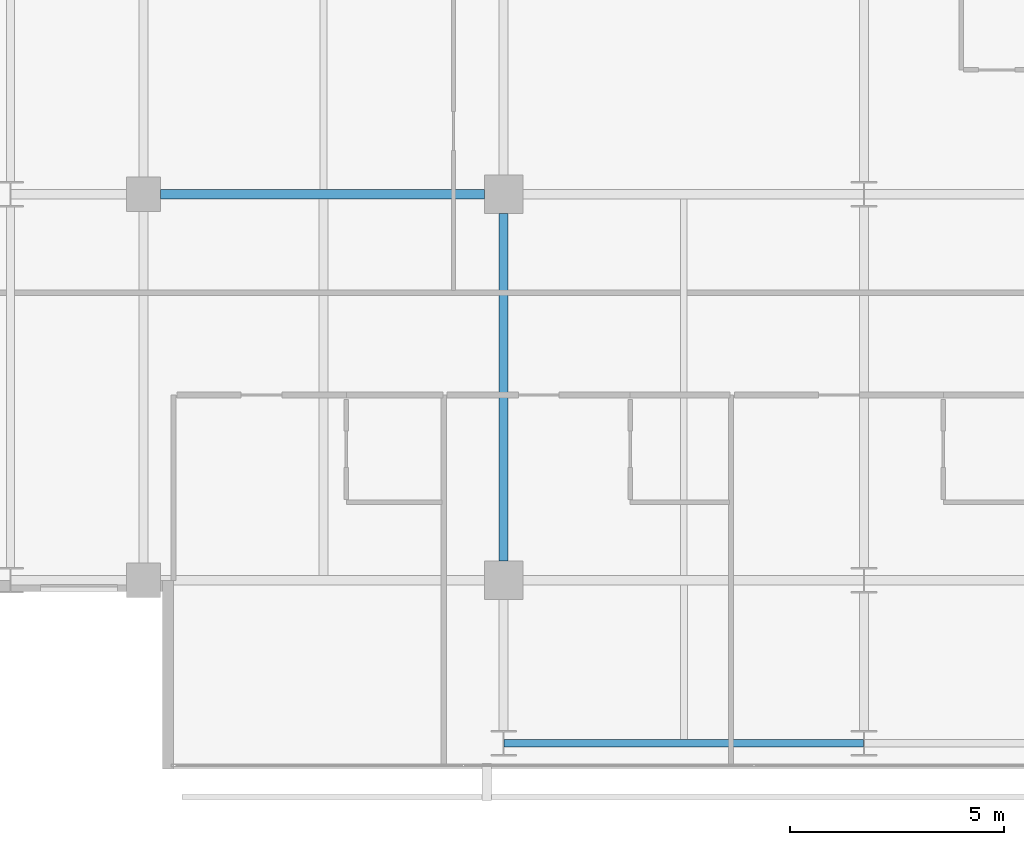
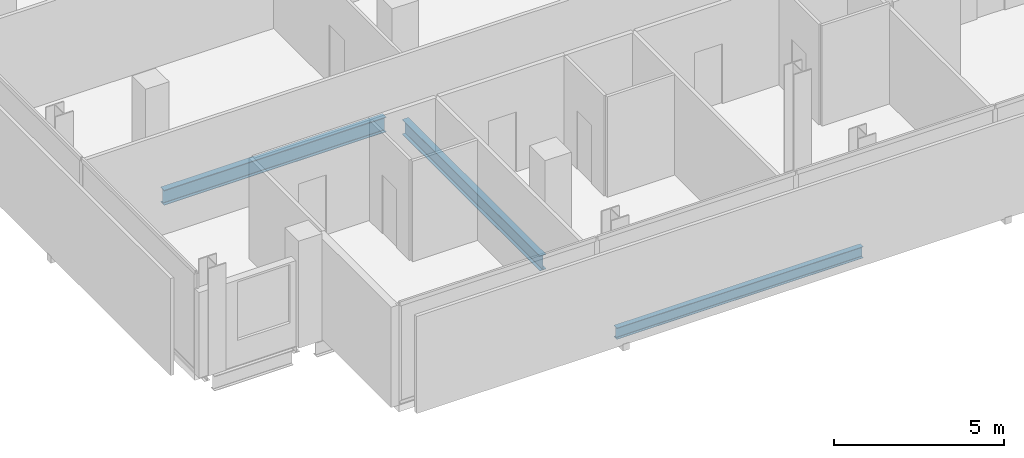
# One storey, part 5 of 33: 3 beams.
"""IFC4 building model written with IfcOpenShell, lengths in metres."""

import ifcopenshell
import ifcopenshell.guid

model = None  # the IFC model being written
_history = None  # IfcOwnerHistory: only IFC2X3 demands one
_inside = {}  # id of a spatial element -> (the spatial element, [elements in it])
_under = {}  # id of a project, library or spatial element -> (it, [spatial elements below it])
_declared = {}  # id of a project -> (the project, [libraries it declares])
_typed = {}  # id of a type object -> (the type object, [elements of that type])
_made_of = {}  # id of a material, layer set ... -> (it, [elements and type objects made of it])


def new_model(schema):
    """Start an empty IFC model of exactly this schema.

    Asked for "IFC4X3", IfcOpenShell would pick the latest addendum, in which some entities
    have other attributes; the version numbers below select the first issue.
    IFC2X3 requires an IfcOwnerHistory on every rooted entity: one is made here for all.
    """
    global model, _history
    if schema == "IFC4X3":
        model = ifcopenshell.file(schema_version=(4, 3, 0, 0))
    else:
        model = ifcopenshell.file(schema=schema)
    _inside.clear()
    _under.clear()
    _declared.clear()
    _typed.clear()
    _made_of.clear()
    _history = None
    if model.schema == "IFC2X3":
        org = make("IfcOrganization", Name="unknown")
        user = make(
            "IfcPersonAndOrganization",
            ThePerson=make("IfcPerson", FamilyName="unknown"),
            TheOrganization=org,
        )
        app = make(
            "IfcApplication",
            ApplicationDeveloper=org,
            Version="unknown",
            ApplicationFullName="unknown",
            ApplicationIdentifier="unknown",
        )
        _history = make(
            "IfcOwnerHistory",
            OwningUser=user,
            OwningApplication=app,
            ChangeAction="ADDED",
            CreationDate=0,
        )
    return model


def make(cls, **values):
    """One entity of the class cls with the attributes given. An attribute that is None is left unset."""
    return model.create_entity(
        cls, **{name: value for name, value in values.items() if value is not None}
    )


def rooted(cls, **values):
    """An entity with a GlobalId (a new one), such as an element, a storey or a relation."""
    return make(cls, GlobalId=ifcopenshell.guid.new(), OwnerHistory=_history, **values)


def si_unit(unit_type, name, prefix=None):
    """IfcSIUnit, for example si_unit("LENGTHUNIT", "METRE", prefix="MILLI")."""
    return make("IfcSIUnit", UnitType=unit_type, Prefix=prefix, Name=name)


def assignment(units):
    """IfcUnitAssignment: the units of a project."""
    return None if units is None else make("IfcUnitAssignment", Units=units)


def point(xyz):
    """IfcCartesianPoint."""
    return None if xyz is None else make("IfcCartesianPoint", Coordinates=xyz)


def direction(xyz):
    """IfcDirection."""
    return None if xyz is None else make("IfcDirection", DirectionRatios=xyz)


def frame(location, z_axis=None, x_axis=None):
    """IfcAxis2Placement3D, a coordinate frame: its origin and axes. An axis left out is left unset."""
    return make(
        "IfcAxis2Placement3D",
        Location=point(location),
        Axis=direction(z_axis),
        RefDirection=direction(x_axis),
    )


def frame_2d(location, x_axis=None):
    """IfcAxis2Placement2D, a coordinate frame in the plane: its origin and x axis."""
    return make(
        "IfcAxis2Placement2D", Location=point(location), RefDirection=direction(x_axis)
    )


def origin():
    """The frame at (0, 0, 0) with its axes left unset."""
    return frame((0.0, 0.0, 0.0))


def origin_2d():
    """The frame at (0, 0) in the plane with its x axis left unset."""
    return frame_2d((0.0, 0.0))


def place(relative_to, where):
    """IfcLocalPlacement: puts the frame where relative to a parent placement (None: the world)."""
    return make(
        "IfcLocalPlacement", PlacementRelTo=relative_to, RelativePlacement=where
    )


def context(
    kind, dimensions, precision=None, world=None, true_north=None, identifier=None
):
    """IfcGeometricRepresentationContext, for example the 3D "Model" context."""
    return make(
        "IfcGeometricRepresentationContext",
        ContextIdentifier=identifier,
        ContextType=kind,
        CoordinateSpaceDimension=dimensions,
        Precision=precision,
        WorldCoordinateSystem=world,
        TrueNorth=true_north,
    )


def subcontext(parent, identifier, kind, view, scale=None):
    """IfcGeometricRepresentationSubContext, for example "Body" below "Model"."""
    return make(
        "IfcGeometricRepresentationSubContext",
        ContextIdentifier=identifier,
        ContextType=kind,
        ParentContext=parent,
        TargetScale=scale,
        TargetView=view,
    )


def project(units=None, contexts=None):
    """IfcProject with its units and contexts."""
    return rooted(
        "IfcProject",
        Name="project",
        RepresentationContexts=contexts,
        UnitsInContext=assignment(units),
    )


def spatial(cls, under=None, at=None, **own):
    """A site, building, storey or space (cls), placed at a placement, below another one or the project."""
    s = rooted(cls, ObjectPlacement=at, **own)
    if under is not None:
        _under.setdefault(under.id(), (under, []))[1].append(s)
    return s


def profile(cls, at=None, kind="AREA", **sizes):
    """A parametric profile (cls). Its sizes go by their IFC names, for example OverallWidth=200.0."""
    return make(cls, ProfileType=kind, Position=at, **sizes)


def i_section(**sizes):
    """IfcIShapeProfileDef."""
    return profile("IfcIShapeProfileDef", **sizes)


def extrude(swept, where, along, depth):
    """IfcExtrudedAreaSolid: the profile swept, set in the frame where, extruded along a direction by depth."""
    return make(
        "IfcExtrudedAreaSolid",
        SweptArea=swept,
        Position=where,
        ExtrudedDirection=direction(along),
        Depth=depth,
    )


def shape(context_of_items, identifier, shape_type, items):
    """IfcShapeRepresentation: the items that make up one representation, for example the "Body"."""
    return make(
        "IfcShapeRepresentation",
        ContextOfItems=context_of_items,
        RepresentationIdentifier=identifier,
        RepresentationType=shape_type,
        Items=items,
    )


def material(Name=None, Category=None):
    """IfcMaterial."""
    return make("IfcMaterial", Name=Name, Category=Category)


def material_profile(
    of_material, cross_section, Name=None, Category=None, Priority=None
):
    """IfcMaterialProfile: a cross section and its material."""
    return make(
        "IfcMaterialProfile",
        Name=Name,
        Material=of_material,
        Profile=cross_section,
        Priority=Priority,
        Category=Category,
    )


def profile_set(profiles, Name=None, composite=None):
    """IfcMaterialProfileSet."""
    return make(
        "IfcMaterialProfileSet",
        Name=Name,
        MaterialProfiles=profiles,
        CompositeProfile=composite,
    )


def made_of(thing, what):
    """Note that an element or type object is made of a material, layer set ...; save() writes the relation."""
    if what is not None:
        _made_of.setdefault(what.id(), (what, []))[1].append(thing)
    return thing


def type_object(cls, material=None, **own):
    """A type object (cls), such as IfcWallType, which elements share."""
    return made_of(rooted(cls, **own), material)


def element(
    cls,
    number,
    at=None,
    inside=None,
    cuts=None,
    type_object=None,
    material=None,
    context=None,
    identifier="Body",
    shape_type=None,
    held_by="IfcProductDefinitionShape",
    body=None,
    shapes=None,
    **own,
):
    """One element of the class cls, such as IfcWall. Its Tag is "e" and its number.

    at: its placement. inside: the storey or other place that contains it. cuts: it is an
    opening in that element (IfcRelVoidsElement). A single representation is given by context,
    identifier, shape_type and body (its items); several are given by shapes. held_by: the class
    of the entity that holds the representations. save() writes the other relations.
    """
    e = rooted(cls, Tag="e%d" % number, ObjectPlacement=at, **own)
    if body is not None:
        shapes = [shape(context, identifier, shape_type, body)]
    if shapes is not None:
        e.Representation = make(held_by, Representations=shapes)
    if inside is not None:
        _inside.setdefault(inside.id(), (inside, []))[1].append(e)
    if cuts is not None:
        rooted(
            "IfcRelVoidsElement", RelatingBuildingElement=cuts, RelatedOpeningElement=e
        )
    if type_object is not None:
        _typed.setdefault(type_object.id(), (type_object, []))[1].append(e)
    return made_of(e, material)


def aggregate(whole, parts):
    """IfcRelAggregates: a whole, such as a stair, and the parts it consists of."""
    return rooted("IfcRelAggregates", RelatingObject=whole, RelatedObjects=parts)


def save(model, path):
    """Write the relations noted so far, then the file.

    IfcRelAggregates (storeys below a building ...), IfcRelContainedInSpatialStructure (elements
    in a storey), IfcRelDefinesByType, IfcRelAssociatesMaterial and IfcRelDeclares: one each for
    every whole, place, type object, material and project.
    """
    for whole, parts in _under.values():
        aggregate(whole, parts)
    for where, things in _inside.values():
        rooted(
            "IfcRelContainedInSpatialStructure",
            RelatedElements=things,
            RelatingStructure=where,
        )
    for kind, things in _typed.values():
        rooted("IfcRelDefinesByType", RelatedObjects=things, RelatingType=kind)
    for what, things in _made_of.values():
        rooted("IfcRelAssociatesMaterial", RelatedObjects=things, RelatingMaterial=what)
    for by, libraries in _declared.values():
        rooted("IfcRelDeclares", RelatingContext=by, RelatedDefinitions=libraries)
    model.write(path)


model = new_model("IFC4")

# Units and contexts
model_context = context("Model", 3, precision=1e-05, world=origin(), true_north=direction((0.0, 1.0)))
body_context = subcontext(model_context, "Body", "Model", "MODEL_VIEW")
ifc_project = project(units=[si_unit("LENGTHUNIT", "METRE"), si_unit("AREAUNIT", "SQUARE_METRE"), si_unit("VOLUMEUNIT", "CUBIC_METRE"), si_unit("PLANEANGLEUNIT", "RADIAN"), si_unit("MASSUNIT", "GRAM", prefix="KILO")], contexts=[model_context])

# Site, building, storey
site_placement = place(None, origin())
site = spatial("IfcSite", under=ifc_project, at=site_placement, CompositionType="ELEMENT")
building_placement = place(site_placement, origin())
building = spatial("IfcBuilding", under=site, at=building_placement, Name="Maruvema Waterfront Hotel and Observation Tower", CompositionType="ELEMENT")
storey_placement = place(building_placement, frame((0.0, 0.0, 204.39990234375)))
storey = spatial("IfcBuildingStorey", under=building, at=storey_placement, Name="L50", CompositionType="ELEMENT", Elevation=204.39990234375)

# Beams
ifc_material_1 = material(Name="Steel ASTM A572 Grade 50", Category="steel")
ifc_material_profile_1 = material_profile(ifc_material_1, i_section(OverallWidth=0.178955078125, OverallDepth=0.409912109375, WebThickness=0.0087890625, FlangeThickness=0.014404296875, FilletRadius=0.014892578125, at=origin_2d()), Name="W410x67.0")
ifc_profile_set_1 = profile_set([ifc_material_profile_1], Name="Steel ASTM A572 Grade 50")
beam_type_1 = type_object("IfcBeamType", Name="Perimeter Spandrel Beam W410x67.0", PredefinedType="SPANDREL", material=ifc_profile_set_1)
beam_1_placement = place(storey_placement, frame((25.21240234375, 5.199951171875, -0.44482421875), z_axis=(1.0, 0.0, 0.0), x_axis=(0.0, 1.0, 0.0)))
element("IfcBeam", 1, at=beam_1_placement, inside=storey, type_object=beam_type_1, Name="L50 Floor Girder EW-01", PredefinedType="SPANDREL", context=body_context, shape_type="SweptSolid", body=[
    extrude(i_section(OverallWidth=0.178955078125, OverallDepth=0.409912109375, WebThickness=0.0087890625, FlangeThickness=0.014404296875, FilletRadius=0.014892578125, at=origin_2d()), origin(), (0.0, 0.0, 1.0), 8.375),
])
ifc_material_2 = material(Name="Steel ASTM A572 Grade 50", Category="steel")
ifc_material_profile_2 = material_profile(ifc_material_2, i_section(OverallWidth=0.2109375, OverallDepth=0.5390625, WebThickness=0.01171875, FlangeThickness=0.018798828125, FilletRadius=0.014892578125, at=origin_2d()), Name="W530x109.0")
ifc_profile_set_2 = profile_set([ifc_material_profile_2], Name="Steel ASTM A572 Grade 50")
beam_type_2 = type_object("IfcBeamType", Name="Primary Floor Girder W530x109.0", PredefinedType="BEAM", material=ifc_profile_set_2)
beam_2_placement = place(storey_placement, frame((17.199951171875, 18.0, -0.509521484375), z_axis=(1.0, 0.0, 0.0), x_axis=(0.0, 1.0, 0.0)))
element("IfcBeam", 2, at=beam_2_placement, inside=storey, type_object=beam_type_2, Name="L50 Floor Girder EW-12", PredefinedType="BEAM", context=body_context, shape_type="SweptSolid", body=[
    extrude(i_section(OverallWidth=0.2109375, OverallDepth=0.5390625, WebThickness=0.01171875, FlangeThickness=0.018798828125, FilletRadius=0.014892578125, at=origin_2d()), origin(), (0.0, 0.0, 1.0), 7.550048828125),
])
beam_3_placement = place(storey_placement, frame((25.199951171875, 9.449951171875, -0.509521484375), z_axis=(0.0, 1.0, 0.0), x_axis=(-1.0, 0.0, 0.0)))
element("IfcBeam", 3, at=beam_3_placement, inside=storey, type_object=beam_type_2, Name="L50 Floor Girder NS-10", PredefinedType="BEAM", context=body_context, shape_type="SweptSolid", body=[
    extrude(i_section(OverallWidth=0.2109375, OverallDepth=0.5390625, WebThickness=0.01171875, FlangeThickness=0.018798828125, FilletRadius=0.014892578125, at=origin_2d()), origin(), (0.0, 0.0, 1.0), 8.10009765625),
])

save(model, "model.ifc")
